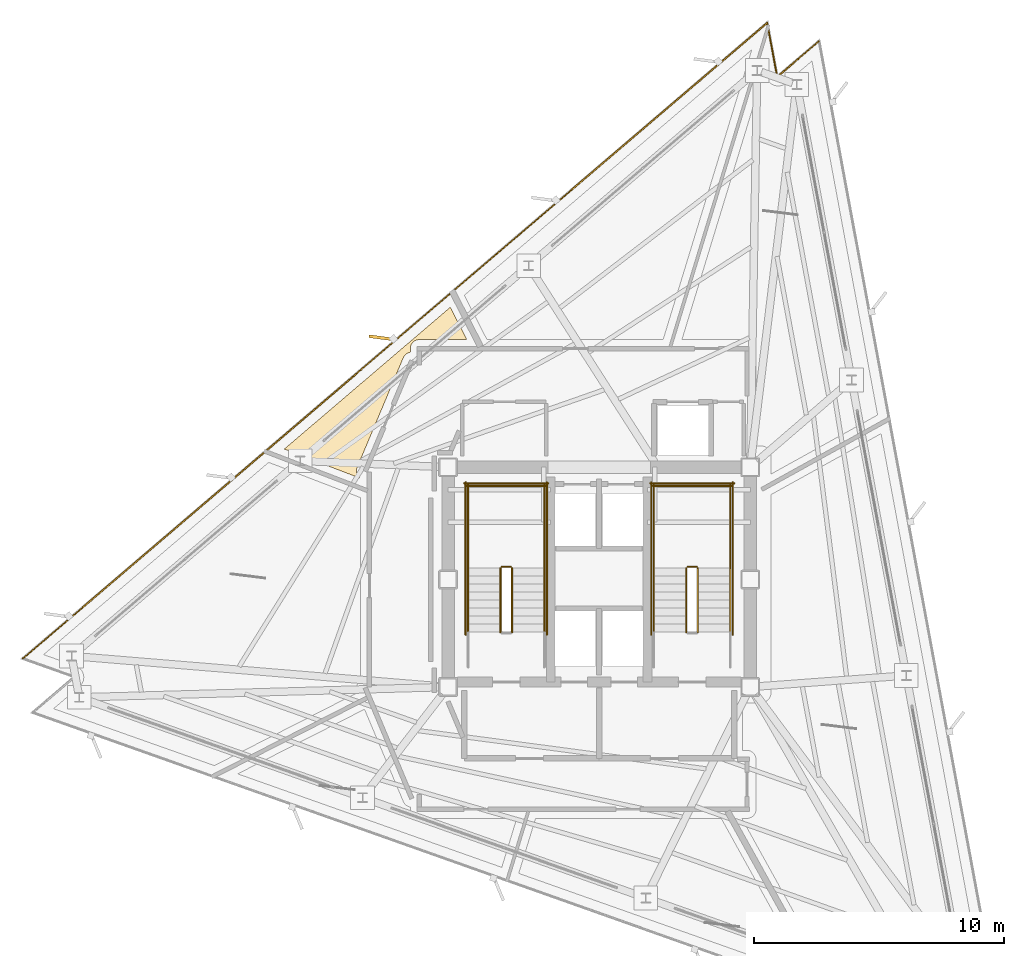
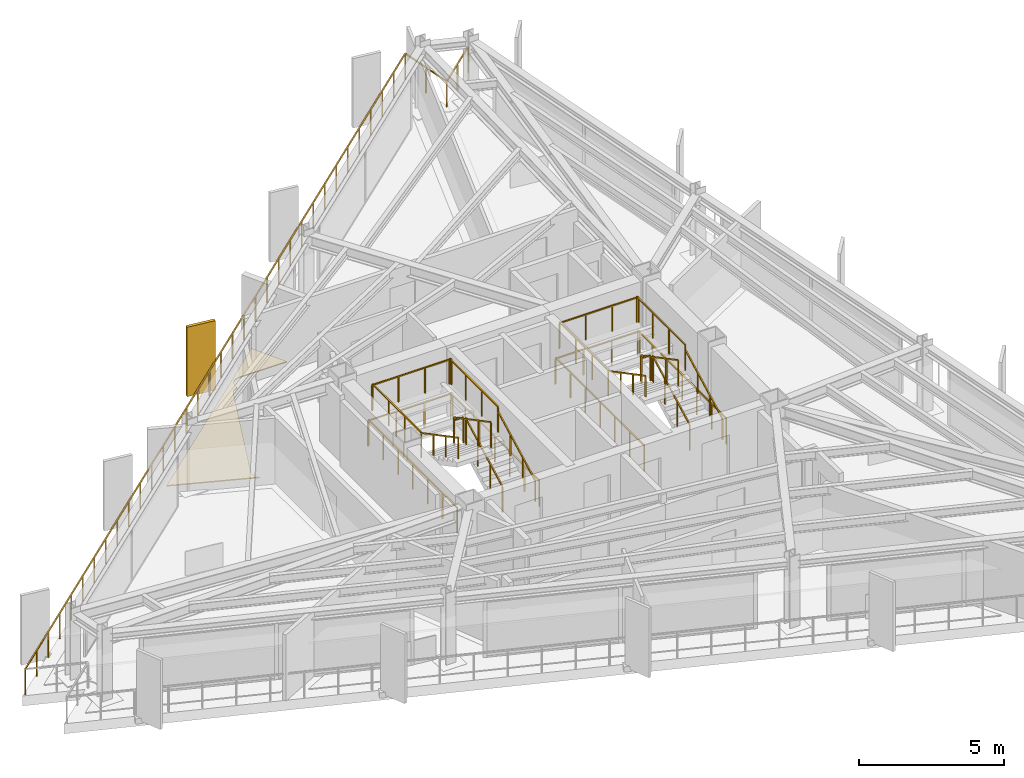
# One storey, part 12 of 14: 23 railings, 1 covering, 1 shading device.
"""IFC4 building model written with IfcOpenShell, lengths in metres."""

from ifc_helpers import new_model, si_unit, direction, frame, origin, origin_2d, place, context, subcontext, project, spatial, polyline, rectangle, outline, extrude, material, layer, layer_set, type_object, element, save


model = new_model("IFC4")

# Units and contexts
model_context = context("Model", 3, precision=1e-05, world=origin(), true_north=direction((0.0, 1.0)))
body_context = subcontext(model_context, "Body", "Model", "MODEL_VIEW")
ifc_project = project(units=[si_unit("LENGTHUNIT", "METRE"), si_unit("AREAUNIT", "SQUARE_METRE"), si_unit("VOLUMEUNIT", "CUBIC_METRE"), si_unit("PLANEANGLEUNIT", "RADIAN"), si_unit("MASSUNIT", "GRAM", prefix="KILO")], contexts=[model_context])

# Site, building, storey
site_placement = place(None, origin())
site = spatial("IfcSite", under=ifc_project, at=site_placement, CompositionType="ELEMENT")
building_placement = place(site_placement, origin())
building = spatial("IfcBuilding", under=site, at=building_placement, Name="Rocaltana Carrier Exchange", CompositionType="ELEMENT")
storey_placement = place(building_placement, frame((0.0, 0.0, 175.360107421875)))
storey = spatial("IfcBuildingStorey", under=building, at=storey_placement, Name="L55", CompositionType="ELEMENT", Elevation=175.360107421875)

# Covering
ifc_material_1 = material(Name="Honed Bogota Sandstone Tile", Category="masonry")
ifc_layer_1 = layer(ifc_material_1, 0.0400390625)
ifc_layer_set_1 = layer_set([ifc_layer_1], Name="Honed Bogota Sandstone Tile")
covering_type = type_object("IfcCoveringType", Name="Honed Stone Lobby Flooring 40", PredefinedType="FLOORING", material=ifc_layer_set_1)
covering_placement = place(storey_placement, origin())
element("IfcCovering", 1, at=covering_placement, inside=storey, type_object=covering_type, Name="L55 Client Reception Foyer Finish Floor", PredefinedType="FLOORING", context=body_context, shape_type="SweptSolid", body=[
    extrude(outline(polyline([(-9.571044921875, 4.0595703125), (-12.610595703125, 5.226318359375), (-5.960693359375, 10.90576171875), (-5.300537109375, 9.610107421875), (-7.199951171875, 9.610107421875), (-7.213623046875, 9.609619140625), (-7.2216796875, 9.609375), (-7.248779296875, 9.606689453125), (-7.256591796875, 9.60546875), (-7.28369140625, 9.60009765625), (-7.291259765625, 9.59814453125), (-7.317626953125, 9.590087890625), (-7.324951171875, 9.58740234375), (-7.350341796875, 9.576904296875), (-7.357421875, 9.57373046875), (-7.381591796875, 9.560791015625), (-7.388427734375, 9.556640625), (-7.4111328125, 9.54150390625), (-7.41748046875, 9.53662109375), (-7.438720703125, 9.519287109375), (-7.444580078125, 9.513916015625), (-7.464111328125, 9.49462890625), (-7.46923828125, 9.48876953125), (-7.48681640625, 9.467529296875), (-7.491455078125, 9.461181640625), (-7.506591796875, 9.4384765625), (-7.5107421875, 9.431640625), (-7.523681640625, 9.407470703125), (-7.527099609375, 9.400390625), (-7.53759765625, 9.375), (-7.540283203125, 9.36767578125), (-7.548095703125, 9.34130859375), (-7.550048828125, 9.33349609375), (-7.555419921875, 9.306640625), (-7.556640625, 9.298828125), (-7.559326171875, 9.271484375), (-7.559814453125, 9.263671875), (-7.56005859375, 9.25), (-7.56005859375, 9.106689453125), (-7.563720703125, 9.106201171875), (-7.5908203125, 9.100830078125), (-7.598388671875, 9.09912109375), (-7.624755859375, 9.09130859375), (-7.632080078125, 9.088623046875), (-7.65771484375, 9.078125), (-7.664794921875, 9.074951171875), (-7.68896484375, 9.06201171875), (-7.69580078125, 9.05810546875), (-7.71875, 9.04296875), (-7.72509765625, 9.038330078125), (-7.746337890625, 9.02099609375), (-7.752197265625, 9.015625), (-7.771728515625, 8.996337890625), (-7.777099609375, 8.990478515625), (-7.794677734375, 8.969482421875), (-7.79931640625, 8.963134765625), (-7.814697265625, 8.9404296875), (-7.818603515625, 8.93359375), (-7.831787109375, 8.909423828125), (-7.835205078125, 8.90234375), (-7.8408203125, 8.889892578125), (-9.69091796875, 4.489990234375), (-9.69580078125, 4.47705078125), (-9.698486328125, 4.4697265625), (-9.706787109375, 4.443603515625), (-9.70849609375, 4.435791015625), (-9.714111328125, 4.408935546875), (-9.71533203125, 4.401123046875), (-9.71826171875, 4.373779296875), (-9.718505859375, 4.365966796875), (-9.71875, 4.33837890625), (-9.718505859375, 4.330810546875), (-9.7158203125, 4.30322265625), (-9.714599609375, 4.295654296875), (-9.70947265625, 4.2685546875), (-9.70751953125, 4.260986328125), (-9.69970703125, 4.234619140625), (-9.697265625, 4.227294921875), (-9.686767578125, 4.201904296875), (-9.68359375, 4.194580078125), (-9.670654296875, 4.17041015625), (-9.666748046875, 4.16357421875), (-9.651611328125, 4.140625), (-9.64697265625, 4.134521484375), (-9.629638671875, 4.113037109375), (-9.624267578125, 4.107177734375), (-9.60498046875, 4.087646484375), (-9.59912109375, 4.082275390625), (-9.578125, 4.064697265625), (-9.57177734375, 4.06005859375), (-9.571044921875, 4.0595703125)])), origin(), (0.0, 0.0, 1.0), 0.039794921875),
])

# Railings
ifc_material_2 = material(Name="Brushed Architectural Stainless Tube", Category="steel")
ifc_layer_2 = layer(ifc_material_2, 0.048095703125)
ifc_layer_set_2 = layer_set([ifc_layer_2], Name="Brushed Architectural Stainless Tube")
railing_type_1 = type_object("IfcRailingType", Name="Stair Wall Handrail 920", PredefinedType="HANDRAIL", material=ifc_layer_set_2)
railing_1_placement = place(storey_placement, frame((-2.18994140625, -2.10009765625, 0.168701171875)))
element("IfcRailing", 2, at=railing_1_placement, inside=storey, type_object=railing_type_1, Name="L55 ST-1 stair handrail 1", PredefinedType="HANDRAIL", context=body_context, shape_type="SweptSolid", body=[
    extrude(rectangle(XDim=0.048095703125, YDim=0.048095703125, at=origin_2d()), frame((0.0, 0.0, 0.8759765625), z_axis=(0.0, 0.884394423565, 0.466740295633), x_axis=(-1.0, 0.0, 0.0)), (0.0, 0.0, 1.0), 2.894775390625),
    extrude(rectangle(XDim=0.0419921875, YDim=0.0419921875, at=origin_2d()), origin(), (0.0, 0.0, 1.0), 0.851806640625),
    extrude(rectangle(XDim=0.0419921875, YDim=0.0419921875, at=origin_2d()), frame((0.0, 0.853271484375, 0.450439453125)), (0.0, 0.0, 1.0), 0.851806640625),
    extrude(rectangle(XDim=0.0419921875, YDim=0.0419921875, at=origin_2d()), frame((0.0, 1.706787109375, 0.900634765625)), (0.0, 0.0, 1.0), 0.851806640625),
    extrude(rectangle(XDim=0.0419921875, YDim=0.0419921875, at=origin_2d()), frame((0.0, 2.56005859375, 1.35107421875)), (0.0, 0.0, 1.0), 0.851806640625),
])
railing_2_placement = place(storey_placement, frame((-5.25, 0.4599609375, 1.688720703125)))
element("IfcRailing", 3, at=railing_2_placement, inside=storey, type_object=railing_type_1, Name="L55 ST-1 stair handrail 2", PredefinedType="HANDRAIL", context=body_context, shape_type="SweptSolid", body=[
    extrude(rectangle(XDim=0.048095703125, YDim=0.048095703125, at=origin_2d()), frame((0.0, 0.0, 0.8759765625), z_axis=(0.0, -0.884394423565, 0.466740295633), x_axis=(1.0, 0.0, 0.0)), (0.0, 0.0, 1.0), 2.894775390625),
    extrude(rectangle(XDim=0.0419921875, YDim=0.0419921875, at=origin_2d()), origin(), (0.0, 0.0, 1.0), 0.851806640625),
    extrude(rectangle(XDim=0.0419921875, YDim=0.0419921875, at=origin_2d()), frame((0.0, -0.853271484375, 0.450439453125)), (0.0, 0.0, 1.0), 0.851806640625),
    extrude(rectangle(XDim=0.0419921875, YDim=0.0419921875, at=origin_2d()), frame((0.0, -1.706787109375, 0.900634765625)), (0.0, 0.0, 1.0), 0.851806640625),
    extrude(rectangle(XDim=0.0419921875, YDim=0.0419921875, at=origin_2d()), frame((0.0, -2.56005859375, 1.35107421875)), (0.0, 0.0, 1.0), 0.851806640625),
])
railing_3_placement = place(storey_placement, frame((5.25, -2.10009765625, 0.168701171875)))
element("IfcRailing", 4, at=railing_3_placement, inside=storey, type_object=railing_type_1, Name="L55 ST-2 stair handrail 1", PredefinedType="HANDRAIL", context=body_context, shape_type="SweptSolid", body=[
    extrude(rectangle(XDim=0.048095703125, YDim=0.048095703125, at=origin_2d()), frame((0.0, 0.0, 0.8759765625), z_axis=(0.0, 0.884394423565, 0.466740295633), x_axis=(-1.0, 0.0, 0.0)), (0.0, 0.0, 1.0), 2.894775390625),
    extrude(rectangle(XDim=0.0419921875, YDim=0.0419921875, at=origin_2d()), origin(), (0.0, 0.0, 1.0), 0.851806640625),
    extrude(rectangle(XDim=0.0419921875, YDim=0.0419921875, at=origin_2d()), frame((0.0, 0.853271484375, 0.450439453125)), (0.0, 0.0, 1.0), 0.851806640625),
    extrude(rectangle(XDim=0.0419921875, YDim=0.0419921875, at=origin_2d()), frame((0.0, 1.706787109375, 0.900634765625)), (0.0, 0.0, 1.0), 0.851806640625),
    extrude(rectangle(XDim=0.0419921875, YDim=0.0419921875, at=origin_2d()), frame((0.0, 2.56005859375, 1.35107421875)), (0.0, 0.0, 1.0), 0.851806640625),
])
railing_4_placement = place(storey_placement, frame((2.18994140625, 0.4599609375, 1.688720703125)))
element("IfcRailing", 5, at=railing_4_placement, inside=storey, type_object=railing_type_1, Name="L55 ST-2 stair handrail 2", PredefinedType="HANDRAIL", context=body_context, shape_type="SweptSolid", body=[
    extrude(rectangle(XDim=0.048095703125, YDim=0.048095703125, at=origin_2d()), frame((0.0, 0.0, 0.8759765625), z_axis=(0.0, -0.884394423565, 0.466740295633), x_axis=(1.0, 0.0, 0.0)), (0.0, 0.0, 1.0), 2.894775390625),
    extrude(rectangle(XDim=0.0419921875, YDim=0.0419921875, at=origin_2d()), origin(), (0.0, 0.0, 1.0), 0.851806640625),
    extrude(rectangle(XDim=0.0419921875, YDim=0.0419921875, at=origin_2d()), frame((0.0, -0.853271484375, 0.450439453125)), (0.0, 0.0, 1.0), 0.851806640625),
    extrude(rectangle(XDim=0.0419921875, YDim=0.0419921875, at=origin_2d()), frame((0.0, -1.706787109375, 0.900634765625)), (0.0, 0.0, 1.0), 0.851806640625),
    extrude(rectangle(XDim=0.0419921875, YDim=0.0419921875, at=origin_2d()), frame((0.0, -2.56005859375, 1.35107421875)), (0.0, 0.0, 1.0), 0.851806640625),
])
ifc_material_3 = material(Name="Powder-Coated Aluminium 6063-T6", Category="aluminium")
ifc_layer_3 = layer(ifc_material_3, 0.048095703125)
ifc_layer_set_3 = layer_set([ifc_layer_3], Name="Powder-Coated Aluminium 6063-T6")
railing_type_2 = type_object("IfcRailingType", Name="Stair Well Guardrail 1100", PredefinedType="GUARDRAIL", material=ifc_layer_set_3)
railing_5_placement = place(storey_placement, frame((-3.489990234375, -2.10009765625, 0.168701171875)))
element("IfcRailing", 6, at=railing_5_placement, inside=storey, type_object=railing_type_2, Name="L55 ST-1 stair guard 1", PredefinedType="GUARDRAIL", context=body_context, shape_type="SweptSolid", body=[
    extrude(rectangle(XDim=0.048095703125, YDim=0.048095703125, at=origin_2d()), frame((0.0, 0.0, 1.076171875), z_axis=(0.0, 0.884394423565, 0.466740295633), x_axis=(-1.0, 0.0, 0.0)), (0.0, 0.0, 1.0), 2.894775390625),
    extrude(rectangle(XDim=0.0419921875, YDim=0.0419921875, at=origin_2d()), origin(), (0.0, 0.0, 1.0), 1.052001953125),
    extrude(rectangle(XDim=0.0419921875, YDim=0.0419921875, at=origin_2d()), frame((0.0, 0.853271484375, 0.450439453125)), (0.0, 0.0, 1.0), 1.052001953125),
    extrude(rectangle(XDim=0.0419921875, YDim=0.0419921875, at=origin_2d()), frame((0.0, 1.706787109375, 0.900634765625)), (0.0, 0.0, 1.0), 1.052001953125),
    extrude(rectangle(XDim=0.0419921875, YDim=0.0419921875, at=origin_2d()), frame((0.0, 2.56005859375, 1.35107421875)), (0.0, 0.0, 1.0), 1.052001953125),
])
railing_6_placement = place(storey_placement, frame((-3.5400390625, 0.510009765625, 1.519775390625)))
element("IfcRailing", 7, at=railing_6_placement, inside=storey, type_object=railing_type_2, Name="L55 ST-1 stair guard 2", PredefinedType="GUARDRAIL", context=body_context, shape_type="SweptSolid", body=[
    extrude(rectangle(XDim=0.048095703125, YDim=0.048095703125, at=origin_2d()), frame((0.0, 0.0, 1.076171875), z_axis=(-1.0, 0.0, 0.0), x_axis=(0.0, -1.0, 0.0)), (0.0, 0.0, 1.0), 0.35986328125),
    extrude(rectangle(XDim=0.0419921875, YDim=0.0419921875, at=origin_2d()), origin(), (0.0, 0.0, 1.0), 1.052001953125),
    extrude(rectangle(XDim=0.0419921875, YDim=0.0419921875, at=origin_2d()), frame((-0.35986328125, 0.0, 0.0)), (0.0, 0.0, 1.0), 1.052001953125),
])
for number, where, name in (
    (8, (-2.18994140625, 0.4599609375, 1.519775390625), "L55 ST-1 stair guard 3"),
    (9, (-5.25, 0.4599609375, 1.519775390625), "L55 ST-1 stair guard 4"),
):
    element("IfcRailing", number, at=place(storey_placement, frame(where)), inside=storey, type_object=railing_type_2, Name=name, PredefinedType="GUARDRAIL", context=body_context, shape_type="SweptSolid", body=[
        extrude(rectangle(XDim=0.048095703125, YDim=0.048095703125, at=origin_2d()), frame((0.0, 0.0, 1.076171875), z_axis=(0.0, 1.0, 0.0), x_axis=(-1.0, 0.0, 0.0)), (0.0, 0.0, 1.0), 3.340087890625),
        extrude(rectangle(XDim=0.0419921875, YDim=0.0419921875, at=origin_2d()), origin(), (0.0, 0.0, 1.0), 1.052001953125),
        extrude(rectangle(XDim=0.0419921875, YDim=0.0419921875, at=origin_2d()), frame((0.0, 1.11328125, 0.0)), (0.0, 0.0, 1.0), 1.052001953125),
        extrude(rectangle(XDim=0.0419921875, YDim=0.0419921875, at=origin_2d()), frame((0.0, 2.226806640625, 0.0)), (0.0, 0.0, 1.0), 1.052001953125),
        extrude(rectangle(XDim=0.0419921875, YDim=0.0419921875, at=origin_2d()), frame((0.0, 3.340087890625, 0.0)), (0.0, 0.0, 1.0), 1.052001953125),
    ])
railing_7_placement = place(storey_placement, frame((-2.139892578125, 3.75, 1.519775390625)))
element("IfcRailing", 10, at=railing_7_placement, inside=storey, type_object=railing_type_2, Name="L55 ST-1 stair guard 5", PredefinedType="GUARDRAIL", context=body_context, shape_type="SweptSolid", body=[
    extrude(rectangle(XDim=0.048095703125, YDim=0.048095703125, at=origin_2d()), frame((0.0, 0.0, 1.076171875), z_axis=(-1.0, 0.0, 0.0), x_axis=(0.0, -1.0, 0.0)), (0.0, 0.0, 1.0), 3.16015625),
    extrude(rectangle(XDim=0.0419921875, YDim=0.0419921875, at=origin_2d()), origin(), (0.0, 0.0, 1.0), 1.052001953125),
    extrude(rectangle(XDim=0.0419921875, YDim=0.0419921875, at=origin_2d()), frame((-1.053466796875, 0.0, 0.0)), (0.0, 0.0, 1.0), 1.052001953125),
    extrude(rectangle(XDim=0.0419921875, YDim=0.0419921875, at=origin_2d()), frame((-2.106689453125, 0.0, 0.0)), (0.0, 0.0, 1.0), 1.052001953125),
    extrude(rectangle(XDim=0.0419921875, YDim=0.0419921875, at=origin_2d()), frame((-3.16015625, 0.0, 0.0)), (0.0, 0.0, 1.0), 1.052001953125),
])
railing_8_placement = place(storey_placement, frame((-3.949951171875, 0.4599609375, 1.688720703125)))
element("IfcRailing", 11, at=railing_8_placement, inside=storey, type_object=railing_type_2, Name="L55 ST-1 stair guard 6", PredefinedType="GUARDRAIL", context=body_context, shape_type="SweptSolid", body=[
    extrude(rectangle(XDim=0.048095703125, YDim=0.048095703125, at=origin_2d()), frame((0.0, 0.0, 1.076171875), z_axis=(0.0, -0.884394423565, 0.466740295633), x_axis=(1.0, 0.0, 0.0)), (0.0, 0.0, 1.0), 2.894775390625),
    extrude(rectangle(XDim=0.0419921875, YDim=0.0419921875, at=origin_2d()), origin(), (0.0, 0.0, 1.0), 1.052001953125),
    extrude(rectangle(XDim=0.0419921875, YDim=0.0419921875, at=origin_2d()), frame((0.0, -0.853271484375, 0.450439453125)), (0.0, 0.0, 1.0), 1.052001953125),
    extrude(rectangle(XDim=0.0419921875, YDim=0.0419921875, at=origin_2d()), frame((0.0, -1.706787109375, 0.900634765625)), (0.0, 0.0, 1.0), 1.052001953125),
    extrude(rectangle(XDim=0.0419921875, YDim=0.0419921875, at=origin_2d()), frame((0.0, -2.56005859375, 1.35107421875)), (0.0, 0.0, 1.0), 1.052001953125),
])
for number, where, name in (
    (12, (-2.090087890625, -2.199951171875, 0.0), "L55 ST-1 stair guard 10"),
    (13, (-5.35009765625, -2.199951171875, 0.0), "L55 ST-1 stair guard 11"),
):
    element("IfcRailing", number, at=place(storey_placement, frame(where)), inside=storey, type_object=railing_type_2, Name=name, PredefinedType="GUARDRAIL", context=body_context, shape_type="SweptSolid", body=[
        extrude(rectangle(XDim=0.048095703125, YDim=0.048095703125, at=origin_2d()), frame((0.0, 0.0, 1.076171875), z_axis=(0.0, 1.0, 0.0), x_axis=(-1.0, 0.0, 0.0)), (0.0, 0.0, 1.0), 6.099853515625),
        extrude(rectangle(XDim=0.0419921875, YDim=0.0419921875, at=origin_2d()), origin(), (0.0, 0.0, 1.0), 1.052001953125),
        extrude(rectangle(XDim=0.0419921875, YDim=0.0419921875, at=origin_2d()), frame((0.0, 1.0166015625, 0.0)), (0.0, 0.0, 1.0), 1.052001953125),
        extrude(rectangle(XDim=0.0419921875, YDim=0.0419921875, at=origin_2d()), frame((0.0, 2.033203125, 0.0)), (0.0, 0.0, 1.0), 1.052001953125),
        extrude(rectangle(XDim=0.0419921875, YDim=0.0419921875, at=origin_2d()), frame((0.0, 3.0498046875, 0.0)), (0.0, 0.0, 1.0), 1.052001953125),
        extrude(rectangle(XDim=0.0419921875, YDim=0.0419921875, at=origin_2d()), frame((0.0, 4.066650390625, 0.0)), (0.0, 0.0, 1.0), 1.052001953125),
        extrude(rectangle(XDim=0.0419921875, YDim=0.0419921875, at=origin_2d()), frame((0.0, 5.083251953125, 0.0)), (0.0, 0.0, 1.0), 1.052001953125),
        extrude(rectangle(XDim=0.0419921875, YDim=0.0419921875, at=origin_2d()), frame((0.0, 6.099853515625, 0.0)), (0.0, 0.0, 1.0), 1.052001953125),
    ])
railing_9_placement = place(storey_placement, frame((-2.0400390625, 3.85009765625, 0.0)))
element("IfcRailing", 14, at=railing_9_placement, inside=storey, type_object=railing_type_2, Name="L55 ST-1 stair guard 12", PredefinedType="GUARDRAIL", context=body_context, shape_type="SweptSolid", body=[
    extrude(rectangle(XDim=0.048095703125, YDim=0.048095703125, at=origin_2d()), frame((0.0, 0.0, 1.076171875), z_axis=(-1.0, 0.0, 0.0), x_axis=(0.0, -1.0, 0.0)), (0.0, 0.0, 1.0), 3.35986328125),
    extrude(rectangle(XDim=0.0419921875, YDim=0.0419921875, at=origin_2d()), origin(), (0.0, 0.0, 1.0), 1.052001953125),
    extrude(rectangle(XDim=0.0419921875, YDim=0.0419921875, at=origin_2d()), frame((-1.119873046875, 0.0, 0.0)), (0.0, 0.0, 1.0), 1.052001953125),
    extrude(rectangle(XDim=0.0419921875, YDim=0.0419921875, at=origin_2d()), frame((-2.239990234375, 0.0, 0.0)), (0.0, 0.0, 1.0), 1.052001953125),
    extrude(rectangle(XDim=0.0419921875, YDim=0.0419921875, at=origin_2d()), frame((-3.35986328125, 0.0, 0.0)), (0.0, 0.0, 1.0), 1.052001953125),
])
railing_10_placement = place(storey_placement, frame((3.949951171875, -2.10009765625, 0.168701171875)))
element("IfcRailing", 15, at=railing_10_placement, inside=storey, type_object=railing_type_2, Name="L55 ST-2 stair guard 1", PredefinedType="GUARDRAIL", context=body_context, shape_type="SweptSolid", body=[
    extrude(rectangle(XDim=0.048095703125, YDim=0.048095703125, at=origin_2d()), frame((0.0, 0.0, 1.076171875), z_axis=(0.0, 0.884394423565, 0.466740295633), x_axis=(-1.0, 0.0, 0.0)), (0.0, 0.0, 1.0), 2.894775390625),
    extrude(rectangle(XDim=0.0419921875, YDim=0.0419921875, at=origin_2d()), origin(), (0.0, 0.0, 1.0), 1.052001953125),
    extrude(rectangle(XDim=0.0419921875, YDim=0.0419921875, at=origin_2d()), frame((0.0, 0.853271484375, 0.450439453125)), (0.0, 0.0, 1.0), 1.052001953125),
    extrude(rectangle(XDim=0.0419921875, YDim=0.0419921875, at=origin_2d()), frame((0.0, 1.706787109375, 0.900634765625)), (0.0, 0.0, 1.0), 1.052001953125),
    extrude(rectangle(XDim=0.0419921875, YDim=0.0419921875, at=origin_2d()), frame((0.0, 2.56005859375, 1.35107421875)), (0.0, 0.0, 1.0), 1.052001953125),
])
railing_11_placement = place(storey_placement, frame((3.89990234375, 0.510009765625, 1.519775390625)))
element("IfcRailing", 16, at=railing_11_placement, inside=storey, type_object=railing_type_2, Name="L55 ST-2 stair guard 2", PredefinedType="GUARDRAIL", context=body_context, shape_type="SweptSolid", body=[
    extrude(rectangle(XDim=0.048095703125, YDim=0.048095703125, at=origin_2d()), frame((0.0, 0.0, 1.076171875), z_axis=(-1.0, 0.0, 0.0), x_axis=(0.0, -1.0, 0.0)), (0.0, 0.0, 1.0), 0.35986328125),
    extrude(rectangle(XDim=0.0419921875, YDim=0.0419921875, at=origin_2d()), origin(), (0.0, 0.0, 1.0), 1.052001953125),
    extrude(rectangle(XDim=0.0419921875, YDim=0.0419921875, at=origin_2d()), frame((-0.35986328125, 0.0, 0.0)), (0.0, 0.0, 1.0), 1.052001953125),
])
for number, where, name in (
    (17, (5.25, 0.4599609375, 1.519775390625), "L55 ST-2 stair guard 3"),
    (18, (2.18994140625, 0.4599609375, 1.519775390625), "L55 ST-2 stair guard 4"),
):
    element("IfcRailing", number, at=place(storey_placement, frame(where)), inside=storey, type_object=railing_type_2, Name=name, PredefinedType="GUARDRAIL", context=body_context, shape_type="SweptSolid", body=[
        extrude(rectangle(XDim=0.048095703125, YDim=0.048095703125, at=origin_2d()), frame((0.0, 0.0, 1.076171875), z_axis=(0.0, 1.0, 0.0), x_axis=(-1.0, 0.0, 0.0)), (0.0, 0.0, 1.0), 3.340087890625),
        extrude(rectangle(XDim=0.0419921875, YDim=0.0419921875, at=origin_2d()), origin(), (0.0, 0.0, 1.0), 1.052001953125),
        extrude(rectangle(XDim=0.0419921875, YDim=0.0419921875, at=origin_2d()), frame((0.0, 1.11328125, 0.0)), (0.0, 0.0, 1.0), 1.052001953125),
        extrude(rectangle(XDim=0.0419921875, YDim=0.0419921875, at=origin_2d()), frame((0.0, 2.226806640625, 0.0)), (0.0, 0.0, 1.0), 1.052001953125),
        extrude(rectangle(XDim=0.0419921875, YDim=0.0419921875, at=origin_2d()), frame((0.0, 3.340087890625, 0.0)), (0.0, 0.0, 1.0), 1.052001953125),
    ])
railing_12_placement = place(storey_placement, frame((5.300048828125, 3.75, 1.519775390625)))
element("IfcRailing", 19, at=railing_12_placement, inside=storey, type_object=railing_type_2, Name="L55 ST-2 stair guard 5", PredefinedType="GUARDRAIL", context=body_context, shape_type="SweptSolid", body=[
    extrude(rectangle(XDim=0.048095703125, YDim=0.048095703125, at=origin_2d()), frame((0.0, 0.0, 1.076171875), z_axis=(-1.0, 0.0, 0.0), x_axis=(0.0, -1.0, 0.0)), (0.0, 0.0, 1.0), 3.16015625),
    extrude(rectangle(XDim=0.0419921875, YDim=0.0419921875, at=origin_2d()), origin(), (0.0, 0.0, 1.0), 1.052001953125),
    extrude(rectangle(XDim=0.0419921875, YDim=0.0419921875, at=origin_2d()), frame((-1.053466796875, 0.0, 0.0)), (0.0, 0.0, 1.0), 1.052001953125),
    extrude(rectangle(XDim=0.0419921875, YDim=0.0419921875, at=origin_2d()), frame((-2.106689453125, 0.0, 0.0)), (0.0, 0.0, 1.0), 1.052001953125),
    extrude(rectangle(XDim=0.0419921875, YDim=0.0419921875, at=origin_2d()), frame((-3.16015625, 0.0, 0.0)), (0.0, 0.0, 1.0), 1.052001953125),
])
railing_13_placement = place(storey_placement, frame((3.489990234375, 0.4599609375, 1.688720703125)))
element("IfcRailing", 20, at=railing_13_placement, inside=storey, type_object=railing_type_2, Name="L55 ST-2 stair guard 6", PredefinedType="GUARDRAIL", context=body_context, shape_type="SweptSolid", body=[
    extrude(rectangle(XDim=0.048095703125, YDim=0.048095703125, at=origin_2d()), frame((0.0, 0.0, 1.076171875), z_axis=(0.0, -0.884394423565, 0.466740295633), x_axis=(1.0, 0.0, 0.0)), (0.0, 0.0, 1.0), 2.894775390625),
    extrude(rectangle(XDim=0.0419921875, YDim=0.0419921875, at=origin_2d()), origin(), (0.0, 0.0, 1.0), 1.052001953125),
    extrude(rectangle(XDim=0.0419921875, YDim=0.0419921875, at=origin_2d()), frame((0.0, -0.853271484375, 0.450439453125)), (0.0, 0.0, 1.0), 1.052001953125),
    extrude(rectangle(XDim=0.0419921875, YDim=0.0419921875, at=origin_2d()), frame((0.0, -1.706787109375, 0.900634765625)), (0.0, 0.0, 1.0), 1.052001953125),
    extrude(rectangle(XDim=0.0419921875, YDim=0.0419921875, at=origin_2d()), frame((0.0, -2.56005859375, 1.35107421875)), (0.0, 0.0, 1.0), 1.052001953125),
])
for number, where, name in (
    (21, (5.35009765625, -2.199951171875, 0.0), "L55 ST-2 stair guard 10"),
    (22, (2.090087890625, -2.199951171875, 0.0), "L55 ST-2 stair guard 11"),
):
    element("IfcRailing", number, at=place(storey_placement, frame(where)), inside=storey, type_object=railing_type_2, Name=name, PredefinedType="GUARDRAIL", context=body_context, shape_type="SweptSolid", body=[
        extrude(rectangle(XDim=0.048095703125, YDim=0.048095703125, at=origin_2d()), frame((0.0, 0.0, 1.076171875), z_axis=(0.0, 1.0, 0.0), x_axis=(-1.0, 0.0, 0.0)), (0.0, 0.0, 1.0), 6.099853515625),
        extrude(rectangle(XDim=0.0419921875, YDim=0.0419921875, at=origin_2d()), origin(), (0.0, 0.0, 1.0), 1.052001953125),
        extrude(rectangle(XDim=0.0419921875, YDim=0.0419921875, at=origin_2d()), frame((0.0, 1.0166015625, 0.0)), (0.0, 0.0, 1.0), 1.052001953125),
        extrude(rectangle(XDim=0.0419921875, YDim=0.0419921875, at=origin_2d()), frame((0.0, 2.033203125, 0.0)), (0.0, 0.0, 1.0), 1.052001953125),
        extrude(rectangle(XDim=0.0419921875, YDim=0.0419921875, at=origin_2d()), frame((0.0, 3.0498046875, 0.0)), (0.0, 0.0, 1.0), 1.052001953125),
        extrude(rectangle(XDim=0.0419921875, YDim=0.0419921875, at=origin_2d()), frame((0.0, 4.066650390625, 0.0)), (0.0, 0.0, 1.0), 1.052001953125),
        extrude(rectangle(XDim=0.0419921875, YDim=0.0419921875, at=origin_2d()), frame((0.0, 5.083251953125, 0.0)), (0.0, 0.0, 1.0), 1.052001953125),
        extrude(rectangle(XDim=0.0419921875, YDim=0.0419921875, at=origin_2d()), frame((0.0, 6.099853515625, 0.0)), (0.0, 0.0, 1.0), 1.052001953125),
    ])
railing_14_placement = place(storey_placement, frame((5.39990234375, 3.85009765625, 0.0)))
element("IfcRailing", 23, at=railing_14_placement, inside=storey, type_object=railing_type_2, Name="L55 ST-2 stair guard 12", PredefinedType="GUARDRAIL", context=body_context, shape_type="SweptSolid", body=[
    extrude(rectangle(XDim=0.048095703125, YDim=0.048095703125, at=origin_2d()), frame((0.0, 0.0, 1.076171875), z_axis=(-1.0, 0.0, 0.0), x_axis=(0.0, -1.0, 0.0)), (0.0, 0.0, 1.0), 3.35986328125),
    extrude(rectangle(XDim=0.0419921875, YDim=0.0419921875, at=origin_2d()), origin(), (0.0, 0.0, 1.0), 1.052001953125),
    extrude(rectangle(XDim=0.0419921875, YDim=0.0419921875, at=origin_2d()), frame((-1.119873046875, 0.0, 0.0)), (0.0, 0.0, 1.0), 1.052001953125),
    extrude(rectangle(XDim=0.0419921875, YDim=0.0419921875, at=origin_2d()), frame((-2.239990234375, 0.0, 0.0)), (0.0, 0.0, 1.0), 1.052001953125),
    extrude(rectangle(XDim=0.0419921875, YDim=0.0419921875, at=origin_2d()), frame((-3.35986328125, 0.0, 0.0)), (0.0, 0.0, 1.0), 1.052001953125),
])

# Shading device
ifc_material_4 = material(Name="Honed Bogota Sandstone & Concrete C45/55", Category="masonry")
ifc_layer_4 = layer(ifc_material_4, 0.1201171875)
ifc_layer_set_4 = layer_set([ifc_layer_4], Name="Honed Bogota Sandstone & Concrete C45/55")
shading_device_type = type_object("IfcShadingDeviceType", Name="Upper Sandstone Shading Fin 1050x120", PredefinedType="USERDEFINED", material=ifc_layer_set_4)
shading_device_placement = place(storey_placement, frame((-8.6923828125, 9.677978515625, -0.1201171875), z_axis=(0.0, 0.0, 1.0), x_axis=(-0.991444861374, 0.13052619222, 0.0)))
element("IfcShadingDevice", 24, at=shading_device_placement, inside=storey, type_object=shading_device_type, Name="L55 Sandstone Vertical Fin F2-03", ObjectType="FIN", PredefinedType="USERDEFINED", context=body_context, shape_type="SweptSolid", body=[
    extrude(rectangle(XDim=1.050048828125, YDim=0.1201171875, at=origin_2d()), origin(), (0.0, 0.0, 1.0), 2.91796875),
])

# Railing
ifc_material_5 = material(Name="Powder-Coated Aluminium 6063-T6", Category="aluminium")
ifc_layer_5 = layer(ifc_material_5, 0.06005859375)
ifc_layer_set_5 = layer_set([ifc_layer_5], Name="Powder-Coated Aluminium 6063-T6")
railing_type_3 = type_object("IfcRailingType", Name="Wind-Floor & Terrace Perimeter Guardrail 1100", PredefinedType="GUARDRAIL", material=ifc_layer_set_5)
railing_15_placement = place(storey_placement, frame((-23.073486328125, -3.15771484375, 0.0)))
element("IfcRailing", 25, at=railing_15_placement, inside=storey, type_object=railing_type_3, Name="L55 Perimeter Balcony Guardrail 2", PredefinedType="GUARDRAIL", context=body_context, shape_type="SweptSolid", body=[
    extrude(rectangle(XDim=0.048095703125, YDim=0.048095703125, at=origin_2d()), frame((0.0, 0.0, 1.076171875), z_axis=(0.760402646587, 0.649451934375, 0.0), x_axis=(-0.649451934375, 0.760402646587, 0.0)), (0.0, 0.0, 1.0), 39.192138671875),
    extrude(rectangle(XDim=0.048095703125, YDim=0.048095703125, at=origin_2d()), frame((29.8017578125, 25.453369140625, 1.076171875), z_axis=(0.182204491792, -0.983260658814, 0.0), x_axis=(0.983260658814, 0.182204491792, 0.0)), (0.0, 0.0, 1.0), 2.2001953125),
    extrude(rectangle(XDim=0.048095703125, YDim=0.048095703125, at=origin_2d()), frame((30.20263671875, 23.2900390625, 1.076171875), z_axis=(0.760359977453, 0.649501889672, 0.0), x_axis=(-0.649501889672, 0.760359977453, 0.0)), (0.0, 0.0, 1.0), 2.2001953125),
    extrude(rectangle(XDim=0.0419921875, YDim=0.0419921875, at=origin_2d()), origin(), (0.0, 0.0, 1.0), 1.052001953125),
    extrude(rectangle(XDim=0.0419921875, YDim=0.0419921875, at=origin_2d()), frame((0.903076171875, 0.771240234375, 0.0)), (0.0, 0.0, 1.0), 1.052001953125),
    extrude(rectangle(XDim=0.0419921875, YDim=0.0419921875, at=origin_2d()), frame((1.80615234375, 1.542724609375, 0.0)), (0.0, 0.0, 1.0), 1.052001953125),
    extrude(rectangle(XDim=0.0419921875, YDim=0.0419921875, at=origin_2d()), frame((2.709228515625, 2.31396484375, 0.0)), (0.0, 0.0, 1.0), 1.052001953125),
    extrude(rectangle(XDim=0.0419921875, YDim=0.0419921875, at=origin_2d()), frame((3.6123046875, 3.085205078125, 0.0)), (0.0, 0.0, 1.0), 1.052001953125),
    extrude(rectangle(XDim=0.0419921875, YDim=0.0419921875, at=origin_2d()), frame((4.515380859375, 3.856689453125, 0.0)), (0.0, 0.0, 1.0), 1.052001953125),
    extrude(rectangle(XDim=0.0419921875, YDim=0.0419921875, at=origin_2d()), frame((5.41845703125, 4.6279296875, 0.0)), (0.0, 0.0, 1.0), 1.052001953125),
    extrude(rectangle(XDim=0.0419921875, YDim=0.0419921875, at=origin_2d()), frame((6.321533203125, 5.399169921875, 0.0)), (0.0, 0.0, 1.0), 1.052001953125),
    extrude(rectangle(XDim=0.0419921875, YDim=0.0419921875, at=origin_2d()), frame((7.224609375, 6.17041015625, 0.0)), (0.0, 0.0, 1.0), 1.052001953125),
    extrude(rectangle(XDim=0.0419921875, YDim=0.0419921875, at=origin_2d()), frame((8.127685546875, 6.94189453125, 0.0)), (0.0, 0.0, 1.0), 1.052001953125),
    extrude(rectangle(XDim=0.0419921875, YDim=0.0419921875, at=origin_2d()), frame((9.03076171875, 7.713134765625, 0.0)), (0.0, 0.0, 1.0), 1.052001953125),
    extrude(rectangle(XDim=0.0419921875, YDim=0.0419921875, at=origin_2d()), frame((9.933837890625, 8.484375, 0.0)), (0.0, 0.0, 1.0), 1.052001953125),
    extrude(rectangle(XDim=0.0419921875, YDim=0.0419921875, at=origin_2d()), frame((10.8369140625, 9.255859375, 0.0)), (0.0, 0.0, 1.0), 1.052001953125),
    extrude(rectangle(XDim=0.0419921875, YDim=0.0419921875, at=origin_2d()), frame((11.739990234375, 10.027099609375, 0.0)), (0.0, 0.0, 1.0), 1.052001953125),
    extrude(rectangle(XDim=0.0419921875, YDim=0.0419921875, at=origin_2d()), frame((12.64306640625, 10.79833984375, 0.0)), (0.0, 0.0, 1.0), 1.052001953125),
    extrude(rectangle(XDim=0.0419921875, YDim=0.0419921875, at=origin_2d()), frame((13.546142578125, 11.56982421875, 0.0)), (0.0, 0.0, 1.0), 1.052001953125),
    extrude(rectangle(XDim=0.0419921875, YDim=0.0419921875, at=origin_2d()), frame((14.44921875, 12.341064453125, 0.0)), (0.0, 0.0, 1.0), 1.052001953125),
    extrude(rectangle(XDim=0.0419921875, YDim=0.0419921875, at=origin_2d()), frame((15.3525390625, 13.1123046875, 0.0)), (0.0, 0.0, 1.0), 1.052001953125),
    extrude(rectangle(XDim=0.0419921875, YDim=0.0419921875, at=origin_2d()), frame((16.255615234375, 13.883544921875, 0.0)), (0.0, 0.0, 1.0), 1.052001953125),
    extrude(rectangle(XDim=0.0419921875, YDim=0.0419921875, at=origin_2d()), frame((17.15869140625, 14.655029296875, 0.0)), (0.0, 0.0, 1.0), 1.052001953125),
    extrude(rectangle(XDim=0.0419921875, YDim=0.0419921875, at=origin_2d()), frame((18.061767578125, 15.42626953125, 0.0)), (0.0, 0.0, 1.0), 1.052001953125),
    extrude(rectangle(XDim=0.0419921875, YDim=0.0419921875, at=origin_2d()), frame((18.96484375, 16.197509765625, 0.0)), (0.0, 0.0, 1.0), 1.052001953125),
    extrude(rectangle(XDim=0.0419921875, YDim=0.0419921875, at=origin_2d()), frame((19.867919921875, 16.968994140625, 0.0)), (0.0, 0.0, 1.0), 1.052001953125),
    extrude(rectangle(XDim=0.0419921875, YDim=0.0419921875, at=origin_2d()), frame((20.77099609375, 17.740234375, 0.0)), (0.0, 0.0, 1.0), 1.052001953125),
    extrude(rectangle(XDim=0.0419921875, YDim=0.0419921875, at=origin_2d()), frame((21.674072265625, 18.511474609375, 0.0)), (0.0, 0.0, 1.0), 1.052001953125),
    extrude(rectangle(XDim=0.0419921875, YDim=0.0419921875, at=origin_2d()), frame((22.5771484375, 19.282958984375, 0.0)), (0.0, 0.0, 1.0), 1.052001953125),
    extrude(rectangle(XDim=0.0419921875, YDim=0.0419921875, at=origin_2d()), frame((23.480224609375, 20.05419921875, 0.0)), (0.0, 0.0, 1.0), 1.052001953125),
    extrude(rectangle(XDim=0.0419921875, YDim=0.0419921875, at=origin_2d()), frame((24.38330078125, 20.825439453125, 0.0)), (0.0, 0.0, 1.0), 1.052001953125),
    extrude(rectangle(XDim=0.0419921875, YDim=0.0419921875, at=origin_2d()), frame((25.286376953125, 21.5966796875, 0.0)), (0.0, 0.0, 1.0), 1.052001953125),
    extrude(rectangle(XDim=0.0419921875, YDim=0.0419921875, at=origin_2d()), frame((26.189453125, 22.3681640625, 0.0)), (0.0, 0.0, 1.0), 1.052001953125),
    extrude(rectangle(XDim=0.0419921875, YDim=0.0419921875, at=origin_2d()), frame((27.092529296875, 23.139404296875, 0.0)), (0.0, 0.0, 1.0), 1.052001953125),
    extrude(rectangle(XDim=0.0419921875, YDim=0.0419921875, at=origin_2d()), frame((27.99560546875, 23.91064453125, 0.0)), (0.0, 0.0, 1.0), 1.052001953125),
    extrude(rectangle(XDim=0.0419921875, YDim=0.0419921875, at=origin_2d()), frame((28.898681640625, 24.68212890625, 0.0)), (0.0, 0.0, 1.0), 1.052001953125),
    extrude(rectangle(XDim=0.0419921875, YDim=0.0419921875, at=origin_2d()), frame((29.8017578125, 25.453369140625, 0.0)), (0.0, 0.0, 1.0), 1.052001953125),
    extrude(rectangle(XDim=0.0419921875, YDim=0.0419921875, at=origin_2d()), frame((30.002197265625, 24.37158203125, 0.0)), (0.0, 0.0, 1.0), 1.052001953125),
    extrude(rectangle(XDim=0.0419921875, YDim=0.0419921875, at=origin_2d()), frame((30.20263671875, 23.2900390625, 0.0)), (0.0, 0.0, 1.0), 1.052001953125),
    extrude(rectangle(XDim=0.0419921875, YDim=0.0419921875, at=origin_2d()), frame((31.0390625, 24.00439453125, 0.0)), (0.0, 0.0, 1.0), 1.052001953125),
    extrude(rectangle(XDim=0.0419921875, YDim=0.0419921875, at=origin_2d()), frame((31.87548828125, 24.718994140625, 0.0)), (0.0, 0.0, 1.0), 1.052001953125),
])

save(model, "model.ifc")
